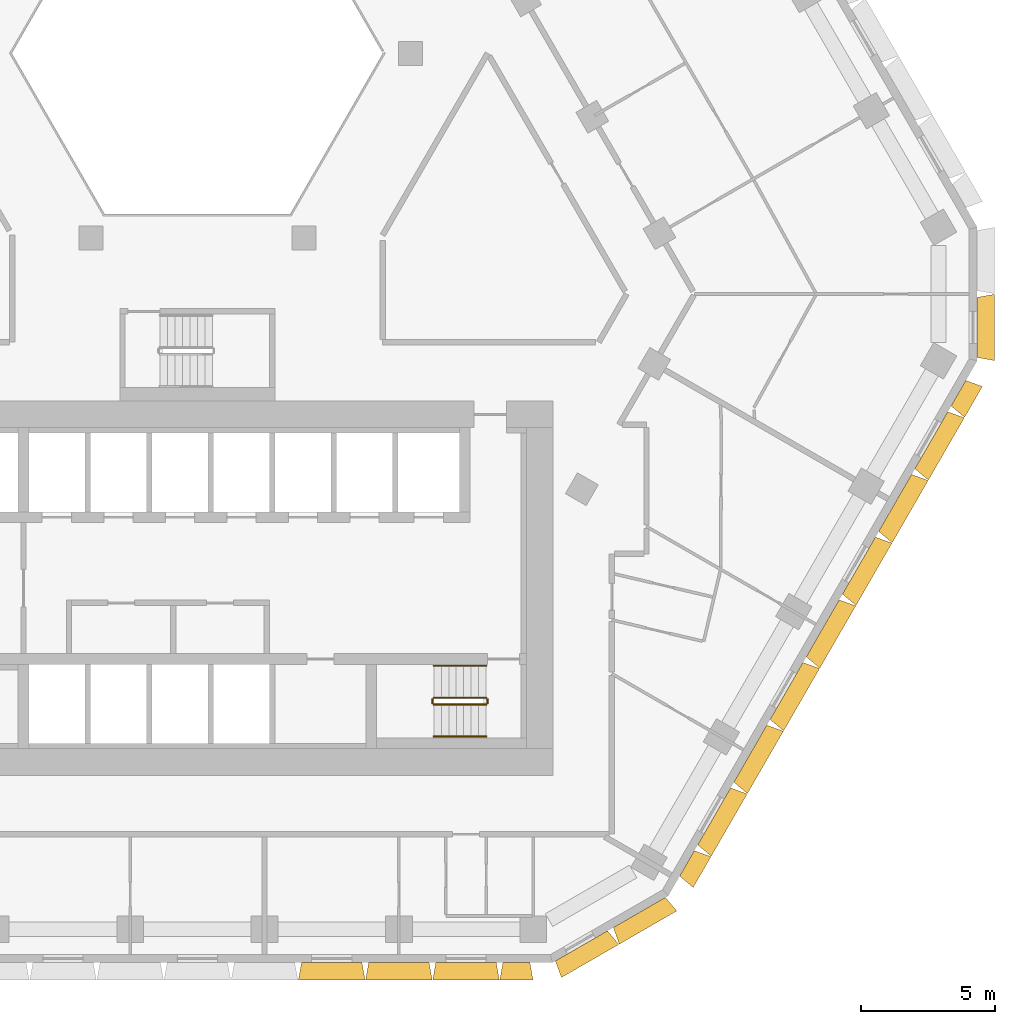
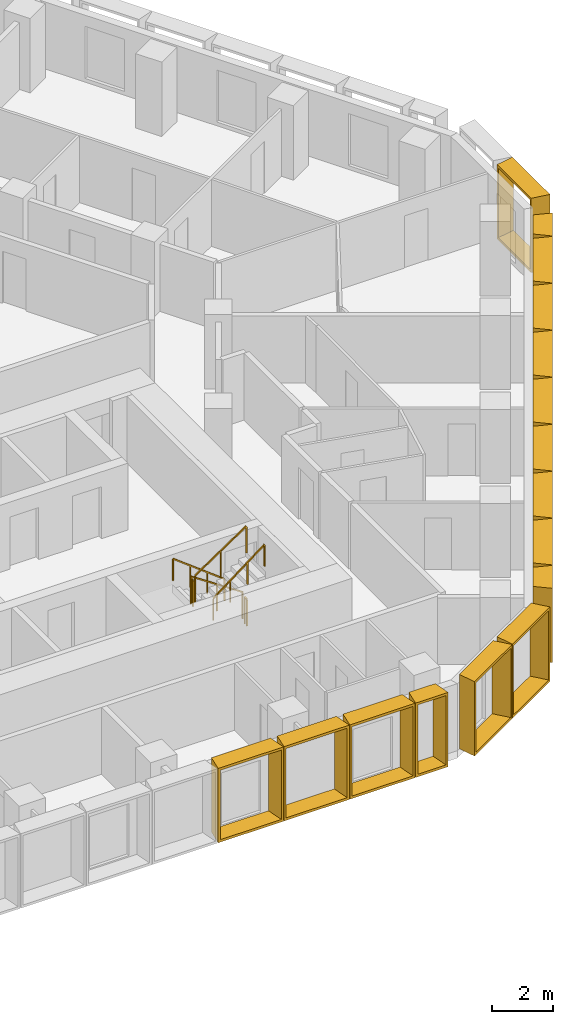
# One storey, part 14 of 15: 16 shading devices, 6 railings.
"""IFC4 building model written with IfcOpenShell, lengths in metres."""

from ifc_helpers import new_model, entity, si_unit, direction, frame, origin, origin_2d, place, context, subcontext, project, spatial, rectangle, extrude, source, transform, mapped, material, type_object, type_shapes, element, save


model = new_model("IFC4")

# Units and contexts
model_context = context("Model", 3, precision=1e-05, world=origin(), true_north=direction((0.0, 1.0)))
body_context = subcontext(model_context, "Body", "Model", "MODEL_VIEW")
ifc_project = project(units=[si_unit("LENGTHUNIT", "METRE"), si_unit("AREAUNIT", "SQUARE_METRE"), si_unit("VOLUMEUNIT", "CUBIC_METRE"), si_unit("PLANEANGLEUNIT", "RADIAN"), si_unit("MASSUNIT", "GRAM", prefix="KILO")], contexts=[model_context])

# Site, building, storey
site_placement = place(None, origin())
site = spatial("IfcSite", under=ifc_project, at=site_placement, CompositionType="ELEMENT")
building_placement = place(site_placement, origin())
building = spatial("IfcBuilding", under=site, at=building_placement, Name="Beryl Residences", CompositionType="ELEMENT")
storey_placement = place(building_placement, frame((0.0, 0.0, 102.0)))
storey = spatial("IfcBuildingStorey", under=building, at=storey_placement, Name="L31", CompositionType="ELEMENT", Elevation=102.0)

# Shading devices
ifc_material_1 = material(Name="Aluminium pale anodised", Category="aluminium")
shading_device_type_1 = type_object("IfcShadingDeviceType", Name="FR126-65A OUTER SKIN frame 650 mm deep, splay 10/10 deg, 1260 x 3000 mm cell", PredefinedType="USERDEFINED", material=ifc_material_1)
cartesian_point_1 = entity("IfcCartesianPoint", [-0.5048828125, 0.0])
cartesian_point_2 = entity("IfcCartesianPoint", [-0.423828125, 0.10009765625])
cartesian_point_3 = entity("IfcCartesianPoint", [-0.61962890625, 0.0])
cartesian_point_4 = entity("IfcCartesianPoint", [-0.538330078125, 0.10009765625])
shared_shape_1 = source(origin(), body_context, "Body", "SweptSolid", [
    entity("IfcExtrudedAreaSolidTapered", entity("IfcArbitraryProfileDefWithVoids", "AREA", None, entity("IfcPolyline", [cartesian_point_1, entity("IfcCartesianPoint", [0.5048828125, 0.0]), entity("IfcCartesianPoint", [0.5048828125, 3.0]), entity("IfcCartesianPoint", [-0.5048828125, 3.0]), cartesian_point_1]), [entity("IfcPolyline", [cartesian_point_2, entity("IfcCartesianPoint", [0.423828125, 0.10009765625]), entity("IfcCartesianPoint", [0.423828125, 2.89990234375]), entity("IfcCartesianPoint", [-0.423828125, 2.89990234375]), cartesian_point_2])]), entity("IfcAxis2Placement3D", entity("IfcCartesianPoint", [0.0, 0.0, 0.0]), entity("IfcDirection", [0.0, 1.0, 0.0]), entity("IfcDirection", [-1.0, 0.0, 0.0])), entity("IfcDirection", [0.0, 0.0, 1.0]), 0.64990234375, entity("IfcArbitraryProfileDefWithVoids", "AREA", None, entity("IfcPolyline", [cartesian_point_3, entity("IfcCartesianPoint", [0.61962890625, 0.0]), entity("IfcCartesianPoint", [0.61962890625, 3.0]), entity("IfcCartesianPoint", [-0.61962890625, 3.0]), cartesian_point_3]), [entity("IfcPolyline", [cartesian_point_4, entity("IfcCartesianPoint", [0.538330078125, 0.10009765625]), entity("IfcCartesianPoint", [0.538330078125, 2.89990234375]), entity("IfcCartesianPoint", [-0.538330078125, 2.89990234375]), cartesian_point_4])])),
])
type_shapes(shading_device_type_1, [shared_shape_1])
shading_device_placement = place(storey_placement, frame((11.929931640625, -26.0, 0.0), z_axis=(0.0, 0.0, 1.0), x_axis=(-1.0, 0.0, 0.0)))
element("IfcShadingDevice", 1, at=shading_device_placement, inside=storey, type_object=shading_device_type_1, Name="FR126-65A frame L31 S 11", ObjectType="OUTER SKIN", PredefinedType="USERDEFINED", context=body_context, shape_type="MappedRepresentation", body=[
    mapped(shared_shape_1, transform((0.0, 0.0, 0.0))),
])
ifc_material_2 = material(Name="Aluminium pale anodised", Category="aluminium")
shading_device_type_2 = type_object("IfcShadingDeviceType", Name="FR135-65A OUTER SKIN frame 650 mm deep, splay 10/10 deg, 1350 x 3000 mm cell", PredefinedType="USERDEFINED", material=ifc_material_2)
cartesian_point_5 = entity("IfcCartesianPoint", [-0.550048828125, 0.0])
cartesian_point_6 = entity("IfcCartesianPoint", [-0.46875, 0.10009765625])
cartesian_point_7 = entity("IfcCartesianPoint", [-0.66455078125, 0.0])
cartesian_point_8 = entity("IfcCartesianPoint", [-0.58349609375, 0.10009765625])
shared_shape_2 = source(origin(), body_context, "Body", "SweptSolid", [
    entity("IfcExtrudedAreaSolidTapered", entity("IfcArbitraryProfileDefWithVoids", "AREA", None, entity("IfcPolyline", [cartesian_point_5, entity("IfcCartesianPoint", [0.550048828125, 0.0]), entity("IfcCartesianPoint", [0.550048828125, 3.0]), entity("IfcCartesianPoint", [-0.550048828125, 3.0]), cartesian_point_5]), [entity("IfcPolyline", [cartesian_point_6, entity("IfcCartesianPoint", [0.46875, 0.10009765625]), entity("IfcCartesianPoint", [0.46875, 2.89990234375]), entity("IfcCartesianPoint", [-0.46875, 2.89990234375]), cartesian_point_6])]), entity("IfcAxis2Placement3D", entity("IfcCartesianPoint", [0.0, 0.0, 0.0]), entity("IfcDirection", [0.0, 1.0, 0.0]), entity("IfcDirection", [-1.0, 0.0, 0.0])), entity("IfcDirection", [0.0, 0.0, 1.0]), 0.64990234375, entity("IfcArbitraryProfileDefWithVoids", "AREA", None, entity("IfcPolyline", [cartesian_point_7, entity("IfcCartesianPoint", [0.66455078125, 0.0]), entity("IfcCartesianPoint", [0.66455078125, 3.0]), entity("IfcCartesianPoint", [-0.66455078125, 3.0]), cartesian_point_7]), [entity("IfcPolyline", [cartesian_point_8, entity("IfcCartesianPoint", [0.58349609375, 0.10009765625]), entity("IfcCartesianPoint", [0.58349609375, 2.89990234375]), entity("IfcCartesianPoint", [-0.58349609375, 2.89990234375]), cartesian_point_8])])),
])
type_shapes(shading_device_type_2, [shared_shape_2])
for number, where, z_axis, x_axis, name in (
    (2, (18.30810546875, -22.2900390625, 0.0), (0.0, 0.0, 1.0), (-0.5, -0.866025403784, 0.0), "FR135-65A frame L31 SE 1"),
    (3, (28.4580078125, -4.7099609375, 0.0), (0.0, 0.0, 1.0), (-0.5, -0.866025403784, 0.0), "FR135-65A frame L31 SE 9"),
):
    element("IfcShadingDevice", number, at=place(storey_placement, frame(where, z_axis=z_axis, x_axis=x_axis)), inside=storey, type_object=shading_device_type_2, Name=name, ObjectType="OUTER SKIN", PredefinedType="USERDEFINED", context=body_context, shape_type="MappedRepresentation", body=[
        mapped(shared_shape_2, transform((0.0, 0.0, 0.0))),
    ])
ifc_material_3 = material(Name="Aluminium pale anodised", Category="aluminium")
shading_device_type_3 = type_object("IfcShadingDeviceType", Name="FR250-65A OUTER SKIN frame 650 mm deep, splay 10/10 deg, 2500 x 3000 mm cell", PredefinedType="USERDEFINED", material=ifc_material_3)
cartesian_point_9 = entity("IfcCartesianPoint", [-1.125, 0.0])
cartesian_point_10 = entity("IfcCartesianPoint", [-1.043701171875, 0.10009765625])
cartesian_point_11 = entity("IfcCartesianPoint", [-1.239501953125, 0.0])
cartesian_point_12 = entity("IfcCartesianPoint", [-1.158447265625, 0.10009765625])
shared_shape_3 = source(origin(), body_context, "Body", "SweptSolid", [
    entity("IfcExtrudedAreaSolidTapered", entity("IfcArbitraryProfileDefWithVoids", "AREA", None, entity("IfcPolyline", [cartesian_point_9, entity("IfcCartesianPoint", [1.125, 0.0]), entity("IfcCartesianPoint", [1.125, 3.0]), entity("IfcCartesianPoint", [-1.125, 3.0]), cartesian_point_9]), [entity("IfcPolyline", [cartesian_point_10, entity("IfcCartesianPoint", [1.043701171875, 0.10009765625]), entity("IfcCartesianPoint", [1.043701171875, 2.89990234375]), entity("IfcCartesianPoint", [-1.043701171875, 2.89990234375]), cartesian_point_10])]), entity("IfcAxis2Placement3D", entity("IfcCartesianPoint", [0.0, 0.0, 0.0]), entity("IfcDirection", [0.0, 1.0, 0.0]), entity("IfcDirection", [-1.0, 0.0, 0.0])), entity("IfcDirection", [0.0, 0.0, 1.0]), 0.64990234375, entity("IfcArbitraryProfileDefWithVoids", "AREA", None, entity("IfcPolyline", [cartesian_point_11, entity("IfcCartesianPoint", [1.239501953125, 0.0]), entity("IfcCartesianPoint", [1.239501953125, 3.0]), entity("IfcCartesianPoint", [-1.239501953125, 3.0]), cartesian_point_11]), [entity("IfcPolyline", [cartesian_point_12, entity("IfcCartesianPoint", [1.158447265625, 0.10009765625]), entity("IfcCartesianPoint", [1.158447265625, 2.89990234375]), entity("IfcCartesianPoint", [-1.158447265625, 2.89990234375]), cartesian_point_12])])),
])
type_shapes(shading_device_type_3, [shared_shape_3])
for number, where, z_axis, x_axis, name in (
    (4, (14.361083984375, -25.375, 0.0), (0.0, 0.0, 1.0), (-0.866025403784, -0.5, 0.0), "FR250-65A frame L31 S-SE 1"),
    (5, (16.527099609375, -24.125, 0.0), (0.0, 0.0, 1.0), (-0.866025403784, -0.5, 0.0), "FR250-65A frame L31 S-SE 2"),
    (6, (29.156982421875, -2.25, 0.0), (0.0, 0.0, 1.0), (0.0, -1.0, 0.0), "FR250-65A frame L31 SE-NE 1"),
):
    element("IfcShadingDevice", number, at=place(storey_placement, frame(where, z_axis=z_axis, x_axis=x_axis)), inside=storey, type_object=shading_device_type_3, Name=name, ObjectType="OUTER SKIN", PredefinedType="USERDEFINED", context=body_context, shape_type="MappedRepresentation", body=[
        mapped(shared_shape_3, transform((0.0, 0.0, 0.0))),
    ])
ifc_material_4 = material(Name="Aluminium pale anodised", Category="aluminium")
shading_device_type_4 = type_object("IfcShadingDeviceType", Name="FR251-65A OUTER SKIN frame 650 mm deep, splay 10/10 deg, 2510 x 3000 mm cell", PredefinedType="USERDEFINED", material=ifc_material_4)
cartesian_point_13 = entity("IfcCartesianPoint", [-1.1298828125, 0.0])
cartesian_point_14 = entity("IfcCartesianPoint", [-1.048828125, 0.10009765625])
cartesian_point_15 = entity("IfcCartesianPoint", [-1.24462890625, 0.0])
cartesian_point_16 = entity("IfcCartesianPoint", [-1.163330078125, 0.10009765625])
shared_shape_4 = source(origin(), body_context, "Body", "SweptSolid", [
    entity("IfcExtrudedAreaSolidTapered", entity("IfcArbitraryProfileDefWithVoids", "AREA", None, entity("IfcPolyline", [cartesian_point_13, entity("IfcCartesianPoint", [1.1298828125, 0.0]), entity("IfcCartesianPoint", [1.1298828125, 3.0]), entity("IfcCartesianPoint", [-1.1298828125, 3.0]), cartesian_point_13]), [entity("IfcPolyline", [cartesian_point_14, entity("IfcCartesianPoint", [1.048828125, 0.10009765625]), entity("IfcCartesianPoint", [1.048828125, 2.89990234375]), entity("IfcCartesianPoint", [-1.048828125, 2.89990234375]), cartesian_point_14])]), entity("IfcAxis2Placement3D", entity("IfcCartesianPoint", [0.0, 0.0, 0.0]), entity("IfcDirection", [0.0, 1.0, 0.0]), entity("IfcDirection", [-1.0, 0.0, 0.0])), entity("IfcDirection", [0.0, 0.0, 1.0]), 0.64990234375, entity("IfcArbitraryProfileDefWithVoids", "AREA", None, entity("IfcPolyline", [cartesian_point_15, entity("IfcCartesianPoint", [1.24462890625, 0.0]), entity("IfcCartesianPoint", [1.24462890625, 3.0]), entity("IfcCartesianPoint", [-1.24462890625, 3.0]), cartesian_point_15]), [entity("IfcPolyline", [cartesian_point_16, entity("IfcCartesianPoint", [1.163330078125, 0.10009765625]), entity("IfcCartesianPoint", [1.163330078125, 2.89990234375]), entity("IfcCartesianPoint", [-1.163330078125, 2.89990234375]), cartesian_point_16])])),
])
type_shapes(shading_device_type_4, [shared_shape_4])
for number, where, z_axis, x_axis, name in (
    (7, (5.02392578125, -26.0, 0.0), (0.0, 0.0, 1.0), (-1.0, 0.0, 0.0), "FR251-65A frame L31 S 8"),
    (8, (7.534912109375, -26.0, 0.0), (0.0, 0.0, 1.0), (-1.0, 0.0, 0.0), "FR251-65A frame L31 S 9"),
    (9, (10.0458984375, -26.0, 0.0), (0.0, 0.0, 1.0), (-1.0, 0.0, 0.0), "FR251-65A frame L31 S 10"),
):
    element("IfcShadingDevice", number, at=place(storey_placement, frame(where, z_axis=z_axis, x_axis=x_axis)), inside=storey, type_object=shading_device_type_4, Name=name, ObjectType="OUTER SKIN", PredefinedType="USERDEFINED", context=body_context, shape_type="MappedRepresentation", body=[
        mapped(shared_shape_4, transform((0.0, 0.0, 0.0))),
    ])
ifc_material_5 = material(Name="Aluminium pale anodised", Category="aluminium")
shading_device_type_5 = type_object("IfcShadingDeviceType", Name="FR271-65A OUTER SKIN frame 650 mm deep, splay 10/10 deg, 2710 x 3000 mm cell", PredefinedType="USERDEFINED", material=ifc_material_5)
cartesian_point_17 = entity("IfcCartesianPoint", [-1.22998046875, 0.0])
cartesian_point_18 = entity("IfcCartesianPoint", [-1.148681640625, 0.10009765625])
cartesian_point_19 = entity("IfcCartesianPoint", [-1.3447265625, 0.0])
cartesian_point_20 = entity("IfcCartesianPoint", [-1.263427734375, 0.10009765625])
shared_shape_5 = source(origin(), body_context, "Body", "SweptSolid", [
    entity("IfcExtrudedAreaSolidTapered", entity("IfcArbitraryProfileDefWithVoids", "AREA", None, entity("IfcPolyline", [cartesian_point_17, entity("IfcCartesianPoint", [1.22998046875, 0.0]), entity("IfcCartesianPoint", [1.22998046875, 3.0]), entity("IfcCartesianPoint", [-1.22998046875, 3.0]), cartesian_point_17]), [entity("IfcPolyline", [cartesian_point_18, entity("IfcCartesianPoint", [1.148681640625, 0.10009765625]), entity("IfcCartesianPoint", [1.148681640625, 2.89990234375]), entity("IfcCartesianPoint", [-1.148681640625, 2.89990234375]), cartesian_point_18])]), entity("IfcAxis2Placement3D", entity("IfcCartesianPoint", [0.0, 0.0, 0.0]), entity("IfcDirection", [0.0, 1.0, 0.0]), entity("IfcDirection", [-1.0, 0.0, 0.0])), entity("IfcDirection", [0.0, 0.0, 1.0]), 0.64990234375, entity("IfcArbitraryProfileDefWithVoids", "AREA", None, entity("IfcPolyline", [cartesian_point_19, entity("IfcCartesianPoint", [1.3447265625, 0.0]), entity("IfcCartesianPoint", [1.3447265625, 3.0]), entity("IfcCartesianPoint", [-1.3447265625, 3.0]), cartesian_point_19]), [entity("IfcPolyline", [cartesian_point_20, entity("IfcCartesianPoint", [1.263427734375, 0.10009765625]), entity("IfcCartesianPoint", [1.263427734375, 2.89990234375]), entity("IfcCartesianPoint", [-1.263427734375, 2.89990234375]), cartesian_point_20])])),
])
type_shapes(shading_device_type_5, [shared_shape_5])
for number, where, z_axis, x_axis, name in (
    (10, (19.322998046875, -20.531982421875, 0.0), (0.0, 0.0, 1.0), (-0.5, -0.866025403784, 0.0), "FR271-65A frame L31 SE 2"),
    (11, (20.676025390625, -18.18798828125, 0.0), (0.0, 0.0, 1.0), (-0.5, -0.866025403784, 0.0), "FR271-65A frame L31 SE 3"),
    (12, (22.030029296875, -15.843994140625, 0.0), (0.0, 0.0, 1.0), (-0.5, -0.866025403784, 0.0), "FR271-65A frame L31 SE 4"),
    (13, (23.383056640625, -13.5, 0.0), (0.0, 0.0, 1.0), (-0.5, -0.866025403784, 0.0), "FR271-65A frame L31 SE 5"),
    (14, (24.736083984375, -11.156005859375, 0.0), (0.0, 0.0, 1.0), (-0.5, -0.866025403784, 0.0), "FR271-65A frame L31 SE 6"),
    (15, (26.090087890625, -8.81201171875, 0.0), (0.0, 0.0, 1.0), (-0.5, -0.866025403784, 0.0), "FR271-65A frame L31 SE 7"),
    (16, (27.443115234375, -6.468017578125, 0.0), (0.0, 0.0, 1.0), (-0.5, -0.866025403784, 0.0), "FR271-65A frame L31 SE 8"),
):
    element("IfcShadingDevice", number, at=place(storey_placement, frame(where, z_axis=z_axis, x_axis=x_axis)), inside=storey, type_object=shading_device_type_5, Name=name, ObjectType="OUTER SKIN", PredefinedType="USERDEFINED", context=body_context, shape_type="MappedRepresentation", body=[
        mapped(shared_shape_5, transform((0.0, 0.0, 0.0))),
    ])

# Railings
ifc_material_6 = material(Name="Stainless steel balustrade with glass infill", Category="steel")
railing_type_1 = type_object("IfcRailingType", Name="SG1 stair guard 1100 mm", PredefinedType="GUARDRAIL", material=ifc_material_6)
railing_1_placement = place(storey_placement, frame((10.800048828125, -16.10009765625, 0.1875)))
element("IfcRailing", 17, at=railing_1_placement, inside=storey, type_object=railing_type_1, Name="L31 ST-3 stair guard 1", PredefinedType="GUARDRAIL", context=body_context, shape_type="SweptSolid", body=[
    extrude(rectangle(XDim=0.048095703125, YDim=0.048095703125, at=origin_2d()), frame((0.0, 0.0, 1.076171875), z_axis=(-0.830902050051, 0.0, 0.556418712142), x_axis=(0.0, -1.0, 0.0)), (0.0, 0.0, 1.0), 2.35888671875),
    extrude(rectangle(XDim=0.0419921875, YDim=0.0419921875, at=origin_2d()), origin(), (0.0, 0.0, 1.0), 1.052001953125),
    extrude(rectangle(XDim=0.0419921875, YDim=0.0419921875, at=origin_2d()), frame((-0.97998046875, 0.0, 0.65625)), (0.0, 0.0, 1.0), 1.052001953125),
    extrude(rectangle(XDim=0.0419921875, YDim=0.0419921875, at=origin_2d()), frame((-1.9599609375, 0.0, 1.3125)), (0.0, 0.0, 1.0), 1.052001953125),
])
railing_2_placement = place(storey_placement, frame((8.7900390625, -16.14990234375, 1.5)))
element("IfcRailing", 18, at=railing_2_placement, inside=storey, type_object=railing_type_1, Name="L31 ST-3 stair guard 2", PredefinedType="GUARDRAIL", context=body_context, shape_type="SweptSolid", body=[
    extrude(rectangle(XDim=0.048095703125, YDim=0.048095703125, at=origin_2d()), frame((0.0, 0.0, 1.076171875), z_axis=(0.0, -1.0, 0.0), x_axis=(1.0, 0.0, 0.0)), (0.0, 0.0, 1.0), 0.150146484375),
    extrude(rectangle(XDim=0.0419921875, YDim=0.0419921875, at=origin_2d()), origin(), (0.0, 0.0, 1.0), 1.052001953125),
    extrude(rectangle(XDim=0.0419921875, YDim=0.0419921875, at=origin_2d()), frame((0.0, -0.150146484375, 0.0)), (0.0, 0.0, 1.0), 1.052001953125),
])
railing_3_placement = place(storey_placement, frame((8.840087890625, -16.35009765625, 1.6875)))
element("IfcRailing", 19, at=railing_3_placement, inside=storey, type_object=railing_type_1, Name="L31 ST-3 stair guard 3", PredefinedType="GUARDRAIL", context=body_context, shape_type="SweptSolid", body=[
    extrude(rectangle(XDim=0.048095703125, YDim=0.048095703125, at=origin_2d()), frame((0.0, 0.0, 1.076171875), z_axis=(0.830902050051, 0.0, 0.556418712142), x_axis=(0.0, 1.0, 0.0)), (0.0, 0.0, 1.0), 2.35888671875),
    extrude(rectangle(XDim=0.0419921875, YDim=0.0419921875, at=origin_2d()), origin(), (0.0, 0.0, 1.0), 1.052001953125),
    extrude(rectangle(XDim=0.0419921875, YDim=0.0419921875, at=origin_2d()), frame((0.97998046875, 0.0, 0.65625)), (0.0, 0.0, 1.0), 1.052001953125),
    extrude(rectangle(XDim=0.0419921875, YDim=0.0419921875, at=origin_2d()), frame((1.9599609375, 0.0, 1.3125)), (0.0, 0.0, 1.0), 1.052001953125),
])
railing_4_placement = place(storey_placement, frame((10.85009765625, -16.14990234375, 0.0)))
element("IfcRailing", 20, at=railing_4_placement, inside=storey, type_object=railing_type_1, Name="L31 ST-3 stair guard 4", PredefinedType="GUARDRAIL", context=body_context, shape_type="SweptSolid", body=[
    extrude(rectangle(XDim=0.048095703125, YDim=0.048095703125, at=origin_2d()), frame((0.0, 0.0, 1.076171875), z_axis=(0.0, -1.0, 0.0), x_axis=(1.0, 0.0, 0.0)), (0.0, 0.0, 1.0), 0.150146484375),
    extrude(rectangle(XDim=0.0419921875, YDim=0.0419921875, at=origin_2d()), origin(), (0.0, 0.0, 1.0), 1.052001953125),
    extrude(rectangle(XDim=0.0419921875, YDim=0.0419921875, at=origin_2d()), frame((0.0, -0.150146484375, 0.0)), (0.0, 0.0, 1.0), 1.052001953125),
])
ifc_material_7 = material(Name="Stainless steel handrail", Category="steel")
railing_type_2 = type_object("IfcRailingType", Name="SRL1 stair handrail 900 mm", PredefinedType="HANDRAIL", material=ifc_material_7)
railing_5_placement = place(storey_placement, frame((10.800048828125, -14.89990234375, 0.1875)))
element("IfcRailing", 21, at=railing_5_placement, inside=storey, type_object=railing_type_2, Name="L31 ST-3 stair handrail 1", PredefinedType="HANDRAIL", context=body_context, shape_type="SweptSolid", body=[
    extrude(rectangle(XDim=0.048095703125, YDim=0.048095703125, at=origin_2d()), frame((0.0, 0.0, 0.8759765625), z_axis=(-0.794121922505, 0.0, 0.607758481798), x_axis=(0.0, -1.0, 0.0)), (0.0, 0.0, 1.0), 2.468017578125),
    extrude(rectangle(XDim=0.0419921875, YDim=0.0419921875, at=origin_2d()), origin(), (0.0, 0.0, 1.0), 0.851806640625),
    extrude(rectangle(XDim=0.0419921875, YDim=0.0419921875, at=origin_2d()), frame((-0.6533203125, 0.0, 0.5)), (0.0, 0.0, 1.0), 0.851806640625),
    extrude(rectangle(XDim=0.0419921875, YDim=0.0419921875, at=origin_2d()), frame((-1.306640625, 0.0, 1.0)), (0.0, 0.0, 1.0), 0.851806640625),
    extrude(rectangle(XDim=0.0419921875, YDim=0.0419921875, at=origin_2d()), frame((-1.9599609375, 0.0, 1.5)), (0.0, 0.0, 1.0), 0.851806640625),
])
railing_6_placement = place(storey_placement, frame((8.840087890625, -17.550048828125, 1.6875)))
element("IfcRailing", 22, at=railing_6_placement, inside=storey, type_object=railing_type_2, Name="L31 ST-3 stair handrail 2", PredefinedType="HANDRAIL", context=body_context, shape_type="SweptSolid", body=[
    extrude(rectangle(XDim=0.048095703125, YDim=0.048095703125, at=origin_2d()), frame((0.0, 0.0, 0.8759765625), z_axis=(0.794121922505, 0.0, 0.607758481798), x_axis=(0.0, 1.0, 0.0)), (0.0, 0.0, 1.0), 2.468017578125),
    extrude(rectangle(XDim=0.0419921875, YDim=0.0419921875, at=origin_2d()), origin(), (0.0, 0.0, 1.0), 0.851806640625),
    extrude(rectangle(XDim=0.0419921875, YDim=0.0419921875, at=origin_2d()), frame((0.6533203125, 0.0, 0.5)), (0.0, 0.0, 1.0), 0.851806640625),
    extrude(rectangle(XDim=0.0419921875, YDim=0.0419921875, at=origin_2d()), frame((1.306640625, 0.0, 1.0)), (0.0, 0.0, 1.0), 0.851806640625),
    extrude(rectangle(XDim=0.0419921875, YDim=0.0419921875, at=origin_2d()), frame((1.9599609375, 0.0, 1.5)), (0.0, 0.0, 1.0), 0.851806640625),
])

save(model, "model.ifc")
